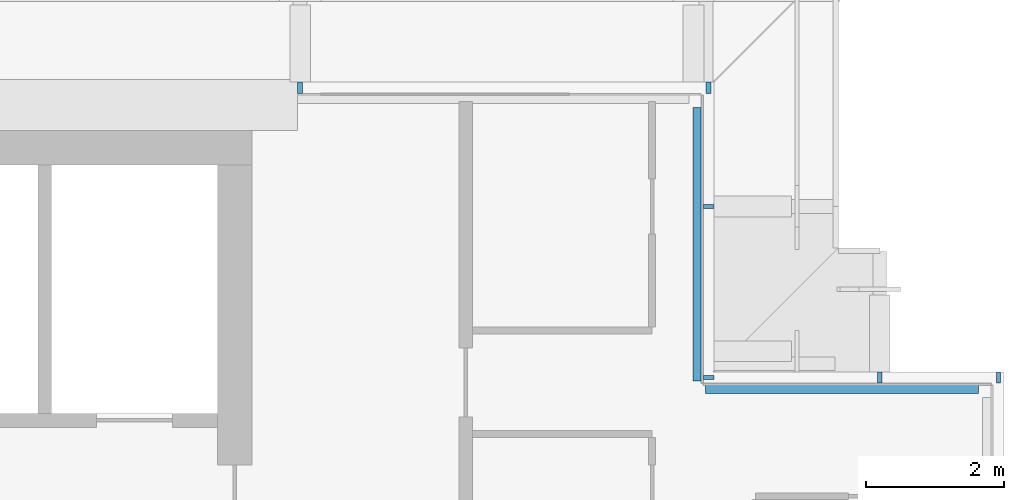
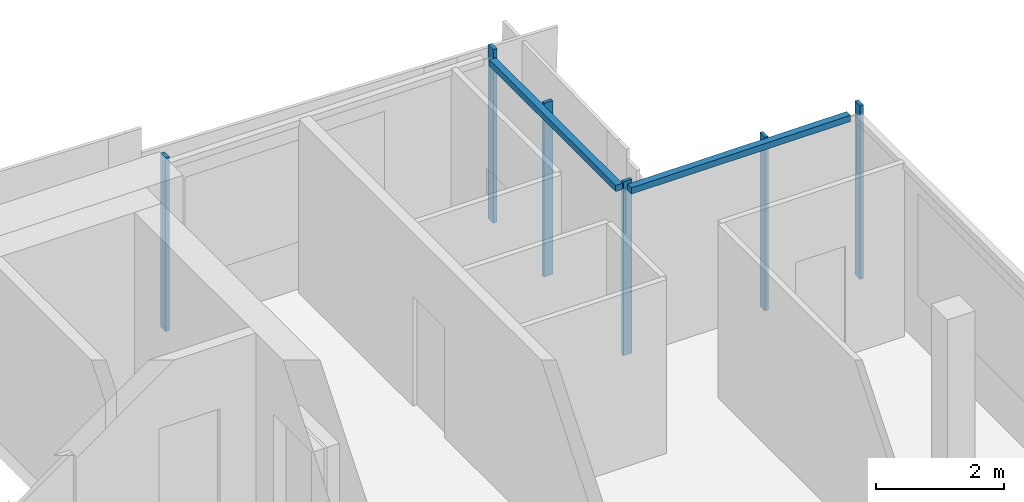
# One storey, part 9 of 22: 8 members, 3 elements without a shape of their own.
"""IFC4 building model written with IfcOpenShell, lengths in metres."""

from ifc_helpers import new_model, si_unit, direction, frame, origin, origin_2d, place, context, subcontext, project, spatial, rectangle, extrude, material, material_profile, profile_set, type_object, element, aggregate, save


model = new_model("IFC4")

# Units and contexts
model_context = context("Model", 3, precision=1e-05, world=origin(), true_north=direction((0.0, 1.0)))
body_context = subcontext(model_context, "Body", "Model", "MODEL_VIEW")
ifc_project = project(units=[si_unit("LENGTHUNIT", "METRE"), si_unit("AREAUNIT", "SQUARE_METRE"), si_unit("VOLUMEUNIT", "CUBIC_METRE"), si_unit("PLANEANGLEUNIT", "RADIAN"), si_unit("MASSUNIT", "GRAM", prefix="KILO")], contexts=[model_context])

# Site, building, storey
site_placement = place(None, origin())
site = spatial("IfcSite", under=ifc_project, at=site_placement, CompositionType="ELEMENT")
building_placement = place(site_placement, origin())
building = spatial("IfcBuilding", under=site, at=building_placement, Name="Saffron Gate Tower", CompositionType="ELEMENT")
storey_placement = place(building_placement, frame((0.0, 0.0, 295.949951171875)))
storey = spatial("IfcBuildingStorey", under=building, at=storey_placement, Name="L72", CompositionType="ELEMENT", Elevation=295.949951171875)

# Curtain wall, members
ifc_material = material(Name="Aluminium, bronze anodised", Category="aluminium")
curtain_wall_type_1 = type_object("IfcCurtainWallType", Name="CWS3 curtain wall rear facade", PredefinedType="NOTDEFINED", material=ifc_material)
curtain_wall_1_placement = place(storey_placement, origin())
curtain_wall_1 = element("IfcCurtainWall", 1, at=curtain_wall_1_placement, inside=storey, type_object=curtain_wall_type_1, Name="CWS3 run 7", PredefinedType="NOTDEFINED")
ifc_material_profile_1 = material_profile(ifc_material, rectangle(XDim=0.159912109375, YDim=0.070068359375, at=origin_2d()))
ifc_profile_set_1 = profile_set([ifc_material_profile_1], Name="Aluminium, bronze anodised")
member_type_1 = type_object("IfcMemberType", Name="CWS3 mullion 70x160", PredefinedType="MULLION", material=ifc_profile_set_1)
member_1_placement = place(storey_placement, frame((114.52001953125, 75.52001953125, 0.0), z_axis=(0.0, 0.0, 1.0), x_axis=(0.0, -1.0, 0.0)))
member_1 = element("IfcMember", 2, at=member_1_placement, type_object=member_type_1, Name="CWS3 mullion 1", PredefinedType="MULLION", context=body_context, shape_type="SweptSolid", body=[
    extrude(rectangle(XDim=0.159912109375, YDim=0.070068359375, at=origin_2d()), origin(), (0.0, 0.0, 1.0), 3.320068359375),
])
member_2_placement = place(storey_placement, frame((108.60009765625, 75.52001953125, 0.0), z_axis=(0.0, 0.0, 1.0), x_axis=(0.0, -1.0, 0.0)))
member_2 = element("IfcMember", 3, at=member_2_placement, type_object=member_type_1, Name="CWS3 mullion 2", PredefinedType="MULLION", context=body_context, shape_type="SweptSolid", body=[
    extrude(rectangle(XDim=0.159912109375, YDim=0.070068359375, at=origin_2d()), origin(), (0.0, 0.0, 1.0), 3.320068359375),
])
aggregate(curtain_wall_1, [member_1, member_2])

# Curtain wall, member
curtain_wall_type_2 = type_object("IfcCurtainWallType", Name="CWS4 curtain wall corner returns", PredefinedType="NOTDEFINED", material=ifc_material)
curtain_wall_2_placement = place(storey_placement, origin())
curtain_wall_2 = element("IfcCurtainWall", 4, at=curtain_wall_2_placement, inside=storey, type_object=curtain_wall_type_2, Name="CWS4 run 5", PredefinedType="NOTDEFINED")
ifc_material_profile_2 = material_profile(ifc_material, rectangle(XDim=0.1201171875, YDim=0.1201171875, at=origin_2d()))
ifc_profile_set_2 = profile_set([ifc_material_profile_2], Name="Aluminium, bronze anodised")
member_type_2 = type_object("IfcMemberType", Name="CWS4 head transom", PredefinedType="USERDEFINED", material=ifc_profile_set_2)
member_3_placement = place(storey_placement, frame((118.431884765625, 71.152099609375, 3.260009765625), z_axis=(-1.0, 0.0, 0.0), x_axis=(0.0, -1.0, 0.0)))
member_3 = element("IfcMember", 5, at=member_3_placement, type_object=member_type_2, Name="CWS4 head transom", ObjectType="TRANSOM", PredefinedType="USERDEFINED", context=body_context, shape_type="SweptSolid", body=[
    extrude(rectangle(XDim=0.1201171875, YDim=0.1201171875, at=origin_2d()), origin(), (0.0, 0.0, 1.0), 3.9599609375),
])

curtain_wall_3_placement = place(storey_placement, origin())
curtain_wall_3 = element("IfcCurtainWall", 6, at=curtain_wall_3_placement, inside=storey, type_object=curtain_wall_type_2, Name="CWS4 run 6", PredefinedType="NOTDEFINED")
member_4_placement = place(storey_placement, frame((114.35205078125, 71.27197265625, 3.260009765625), z_axis=(0.0, 1.0, 0.0), x_axis=(-1.0, 0.0, 0.0)))
member_4 = element("IfcMember", 7, at=member_4_placement, type_object=member_type_2, Name="CWS4 head transom", ObjectType="TRANSOM", PredefinedType="USERDEFINED", context=body_context, shape_type="SweptSolid", body=[
    extrude(rectangle(XDim=0.1201171875, YDim=0.1201171875, at=origin_2d()), origin(), (0.0, 0.0, 1.0), 3.9599609375),
])

# Member
ifc_material_profile_3 = material_profile(ifc_material, rectangle(XDim=0.159912109375, YDim=0.06005859375, at=origin_2d()))
ifc_profile_set_3 = profile_set([ifc_material_profile_3], Name="Aluminium, bronze anodised")
member_type_3 = type_object("IfcMemberType", Name="CWS4 mullion 60x160", PredefinedType="MULLION", material=ifc_profile_set_3)
member_5_placement = place(storey_placement, frame((118.719970703125, 71.320068359375, 0.0), z_axis=(0.0, 0.0, 1.0), x_axis=(0.0, -1.0, 0.0)))
member_5 = element("IfcMember", 8, at=member_5_placement, type_object=member_type_3, Name="CWS4 mullion 1", PredefinedType="MULLION", context=body_context, shape_type="SweptSolid", body=[
    extrude(rectangle(XDim=0.159912109375, YDim=0.06005859375, at=origin_2d()), origin(), (0.0, 0.0, 1.0), 3.320068359375),
])

member_6_placement = place(storey_placement, frame((117.0, 71.320068359375, 0.0), z_axis=(0.0, 0.0, 1.0), x_axis=(0.0, -1.0, 0.0)))
member_6 = element("IfcMember", 9, at=member_6_placement, type_object=member_type_3, Name="CWS4 mullion 2", PredefinedType="MULLION", context=body_context, shape_type="SweptSolid", body=[
    extrude(rectangle(XDim=0.159912109375, YDim=0.06005859375, at=origin_2d()), origin(), (0.0, 0.0, 1.0), 3.320068359375),
])

aggregate(curtain_wall_2, [member_5, member_6, member_3])

member_7_placement = place(storey_placement, frame((114.52001953125, 71.320068359375, 0.0), z_axis=(0.0, 0.0, 1.0), x_axis=(-1.0, 0.0, 0.0)))
member_7 = element("IfcMember", 10, at=member_7_placement, type_object=member_type_3, Name="CWS4 mullion 1", PredefinedType="MULLION", context=body_context, shape_type="SweptSolid", body=[
    extrude(rectangle(XDim=0.159912109375, YDim=0.06005859375, at=origin_2d()), origin(), (0.0, 0.0, 1.0), 3.320068359375),
])

member_8_placement = place(storey_placement, frame((114.52001953125, 73.800048828125, 0.0), z_axis=(0.0, 0.0, 1.0), x_axis=(-1.0, 0.0, 0.0)))
member_8 = element("IfcMember", 11, at=member_8_placement, type_object=member_type_3, Name="CWS4 mullion 2", PredefinedType="MULLION", context=body_context, shape_type="SweptSolid", body=[
    extrude(rectangle(XDim=0.159912109375, YDim=0.06005859375, at=origin_2d()), origin(), (0.0, 0.0, 1.0), 3.320068359375),
])

aggregate(curtain_wall_3, [member_7, member_8, member_4])

save(model, "model.ifc")
